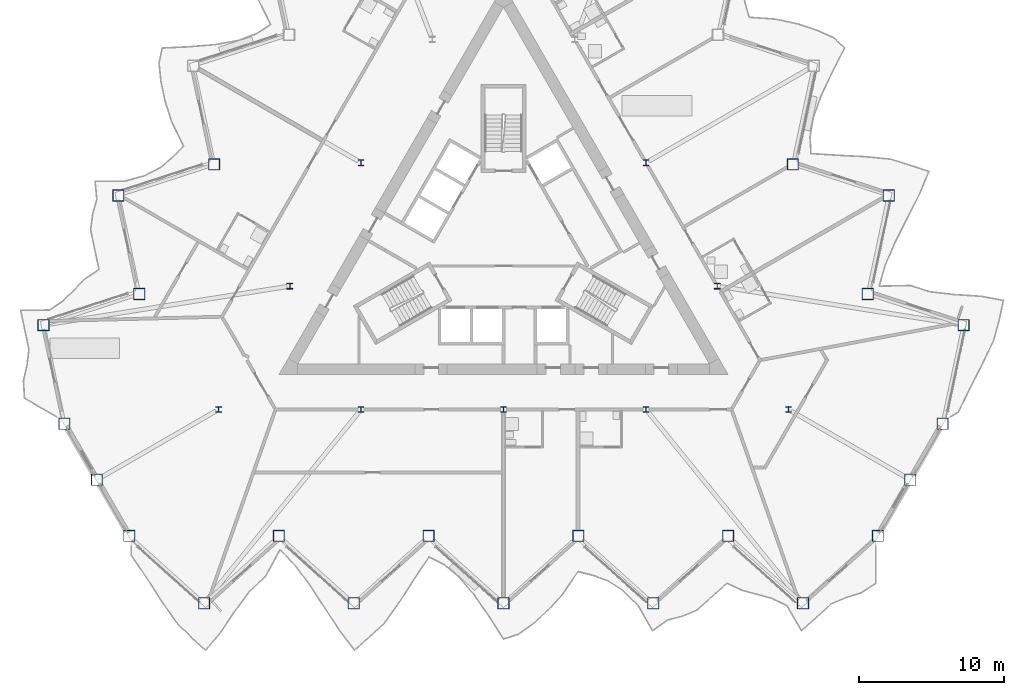
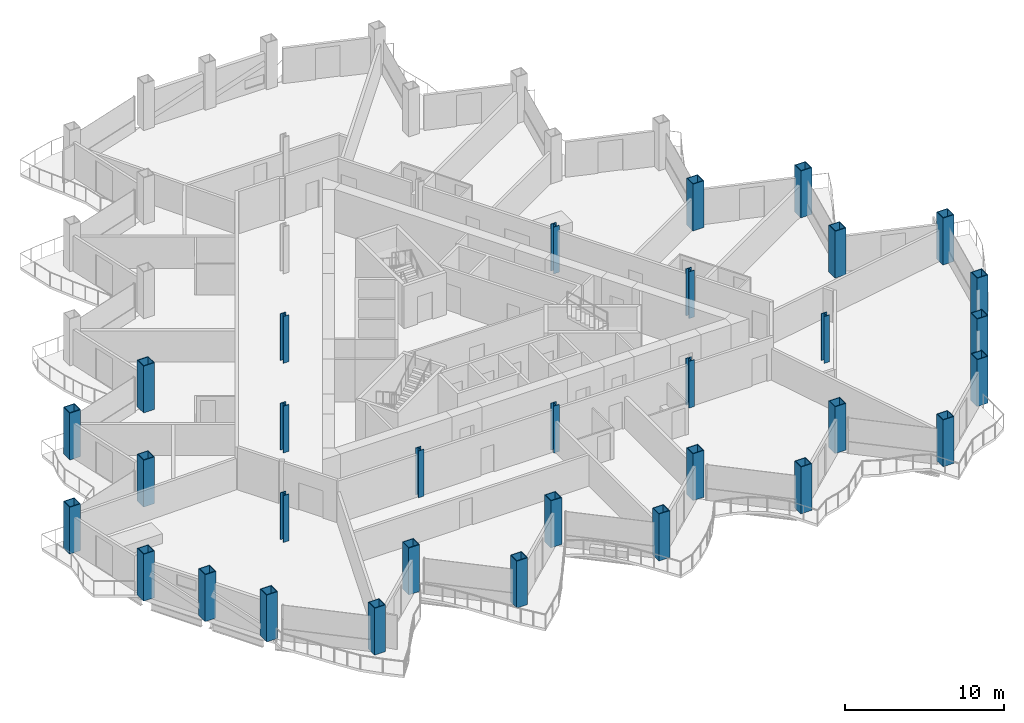
# One storey, part 1 of 22: 32 columns.
"""IFC4 building model written with IfcOpenShell, lengths in metres."""

from ifc_helpers import new_model, si_unit, direction, frame, origin, origin_2d, place, context, subcontext, project, spatial, hollow_rectangle, i_section, extrude, material, material_profile, profile_set, type_object, element, save


model = new_model("IFC4")

# Units and contexts
model_context = context("Model", 3, precision=1e-05, world=origin(), true_north=direction((0.0, 1.0)))
body_context = subcontext(model_context, "Body", "Model", "MODEL_VIEW")
ifc_project = project(units=[si_unit("LENGTHUNIT", "METRE"), si_unit("AREAUNIT", "SQUARE_METRE"), si_unit("VOLUMEUNIT", "CUBIC_METRE"), si_unit("PLANEANGLEUNIT", "RADIAN"), si_unit("MASSUNIT", "GRAM", prefix="KILO")], contexts=[model_context])

# Site, building, storey
site_placement = place(None, origin())
site = spatial("IfcSite", under=ifc_project, at=site_placement, CompositionType="ELEMENT")
building_placement = place(site_placement, origin())
building = spatial("IfcBuilding", under=site, at=building_placement, Name="Cormorant Prow Tower", CompositionType="ELEMENT")
storey_placement = place(building_placement, frame((0.0, 0.0, 198.0)))
storey = spatial("IfcBuildingStorey", under=building, at=storey_placement, Name="L43", CompositionType="ELEMENT", Elevation=198.0)

# Columns
ifc_material_1 = material(Name="Structural steel ASTM A572 Gr 50", Category="steel")
ifc_material_profile_1 = material_profile(ifc_material_1, hollow_rectangle(XDim=0.800048828125, YDim=0.800048828125, WallThickness=0.050048828125, at=origin_2d()), Name="Box 800x800x50")
ifc_profile_set_1 = profile_set([ifc_material_profile_1], Name="Structural steel ASTM A572 Gr 50")
column_type_1 = type_object("IfcColumnType", Name="Perimeter box column 800x800x50", PredefinedType="COLUMN", material=ifc_profile_set_1)
for number, where, z_axis, x_axis, name in (
    (1, (-25.823486328125, -20.0712890625, 0.0), (0.0, 0.0, 1.0), (1.0, 0.0, 0.0), "Perimeter column C4 at S00 L43"),
    (2, (-20.658935546875, -24.7216796875, 0.0), (0.0, 0.0, 1.0), (1.0, 0.0, 0.0), "Perimeter column C4 at S01 L43"),
    (3, (-15.494140625, -20.0712890625, 0.0), (0.0, 0.0, 1.0), (1.0, 0.0, 0.0), "Perimeter column C4 at S02 L43"),
    (4, (-10.329345703125, -24.7216796875, 0.0), (0.0, 0.0, 1.0), (1.0, 0.0, 0.0), "Perimeter column C4 at S03 L43"),
    (5, (-5.164794921875, -20.0712890625, 0.0), (0.0, 0.0, 1.0), (1.0, 0.0, 0.0), "Perimeter column C4 at S04 L43"),
    (6, (0.0, -24.7216796875, 0.0), (0.0, 0.0, 1.0), (1.0, 0.0, 0.0), "Perimeter column C4 at S05 L43"),
    (7, (5.164794921875, -20.0712890625, 0.0), (0.0, 0.0, 1.0), (1.0, 0.0, 0.0), "Perimeter column C4 at S06 L43"),
    (8, (10.329345703125, -24.7216796875, 0.0), (0.0, 0.0, 1.0), (1.0, 0.0, 0.0), "Perimeter column C4 at S07 L43"),
    (9, (15.494140625, -20.0712890625, 0.0), (0.0, 0.0, 1.0), (1.0, 0.0, 0.0), "Perimeter column C4 at S08 L43"),
    (10, (20.658935546875, -24.7216796875, 0.0), (0.0, 0.0, 1.0), (1.0, 0.0, 0.0), "Perimeter column C4 at S09 L43"),
    (11, (25.823486328125, -20.0712890625, 0.0), (0.0, 0.0, 1.0), (1.0, 0.0, 0.0), "Perimeter column C4 at ESE00 L43"),
    (12, (28.058837890625, -16.19970703125, 0.0), (0.0, 0.0, 1.0), (1.0, 0.0, 0.0), "Perimeter column C4 at ESE01 L43"),
    (13, (30.2939453125, -12.328369140625, 0.0), (0.0, 0.0, 1.0), (1.0, 0.0, 0.0), "Perimeter column C4 at ENE00 L43"),
    (14, (31.739013671875, -5.5302734375, 0.0), (0.0, 0.0, 1.0), (1.0, 0.0, 0.0), "Perimeter column C4 at ENE01 L43"),
    (15, (25.12939453125, -3.3828125, 0.0), (0.0, 0.0, 1.0), (1.0, 0.0, 0.0), "Perimeter column C4 at ENE02 L43"),
    (16, (26.57421875, 3.415283203125, 0.0), (0.0, 0.0, 1.0), (1.0, 0.0, 0.0), "Perimeter column C4 at ENE03 L43"),
    (17, (19.964599609375, 5.562744140625, 0.0), (0.0, 0.0, 1.0), (1.0, 0.0, 0.0), "Perimeter column C4 at ENE04 L43"),
    (18, (-19.964599609375, 5.562744140625, 0.0), (0.0, 0.0, 1.0), (1.0, 0.0, 0.0), "Perimeter column C4 at WNW06 L43"),
    (19, (-26.57421875, 3.415283203125, 0.0), (0.0, 0.0, 1.0), (1.0, 0.0, 0.0), "Perimeter column C4 at WNW07 L43"),
    (20, (-25.12939453125, -3.3828125, 0.0), (0.0, 0.0, 1.0), (1.0, 0.0, 0.0), "Perimeter column C4 at WNW08 L43"),
    (21, (-31.739013671875, -5.5302734375, 0.0), (0.0, 0.0, 1.0), (1.0, 0.0, 0.0), "Perimeter column C4 at WNW09 L43"),
    (22, (-30.2939453125, -12.328369140625, 0.0), (0.0, 0.0, 1.0), (1.0, 0.0, 0.0), "Perimeter column C4 at WSW00 L43"),
    (23, (-28.058837890625, -16.19970703125, 0.0), (0.0, 0.0, 1.0), (1.0, 0.0, 0.0), "Perimeter column C4 at WSW01 L43"),
):
    element("IfcColumn", number, at=place(storey_placement, frame(where, z_axis=z_axis, x_axis=x_axis)), inside=storey, type_object=column_type_1, Name=name, PredefinedType="COLUMN", context=body_context, shape_type="SweptSolid", body=[
        extrude(hollow_rectangle(XDim=0.800048828125, YDim=0.800048828125, WallThickness=0.050048828125, at=origin_2d()), origin(), (0.0, 0.0, 1.0), 3.60009765625),
    ])
ifc_material_2 = material(Name="Structural steel ASTM A992 Gr 50", Category="steel")
ifc_material_profile_2 = material_profile(ifc_material_2, i_section(OverallWidth=0.403564453125, OverallDepth=0.407470703125, WebThickness=0.027099609375, FlangeThickness=0.043701171875, at=origin_2d()), Name="W14x233")
ifc_profile_set_2 = profile_set([ifc_material_profile_2], Name="Structural steel ASTM A992 Gr 50")
column_type_2 = type_object("IfcColumnType", Name="Ring column W14x233", PredefinedType="COLUMN", material=ifc_profile_set_2)
for number, where, z_axis, x_axis, name in (
    (24, (-9.828369140625, 5.674560546875, 0.0), (0.0, 0.0, 1.0), (1.0, 0.0, 0.0), "Ring column 3 L43"),
    (25, (-14.74267578125, -2.837158203125, 0.0), (0.0, 0.0, 1.0), (1.0, 0.0, 0.0), "Ring column 4 L43"),
    (26, (-19.656982421875, -11.348876953125, 0.0), (0.0, 0.0, 1.0), (1.0, 0.0, 0.0), "Ring column 5 L43"),
    (27, (-9.828369140625, -11.348876953125, 0.0), (0.0, 0.0, 1.0), (1.0, 0.0, 0.0), "Ring column 6 L43"),
    (28, (0.0, -11.348876953125, 0.0), (0.0, 0.0, 1.0), (1.0, 0.0, 0.0), "Ring column 7 L43"),
    (29, (9.828369140625, -11.348876953125, 0.0), (0.0, 0.0, 1.0), (1.0, 0.0, 0.0), "Ring column 8 L43"),
    (30, (19.656982421875, -11.348876953125, 0.0), (0.0, 0.0, 1.0), (1.0, 0.0, 0.0), "Ring column 9 L43"),
    (31, (14.74267578125, -2.837158203125, 0.0), (0.0, 0.0, 1.0), (1.0, 0.0, 0.0), "Ring column 10 L43"),
    (32, (9.828369140625, 5.674560546875, 0.0), (0.0, 0.0, 1.0), (1.0, 0.0, 0.0), "Ring column 11 L43"),
):
    element("IfcColumn", number, at=place(storey_placement, frame(where, z_axis=z_axis, x_axis=x_axis)), inside=storey, type_object=column_type_2, Name=name, PredefinedType="COLUMN", context=body_context, shape_type="SweptSolid", body=[
        extrude(i_section(OverallWidth=0.403564453125, OverallDepth=0.407470703125, WebThickness=0.027099609375, FlangeThickness=0.043701171875, at=origin_2d()), origin(), (0.0, 0.0, 1.0), 3.60009765625),
    ])

save(model, "model.ifc")
